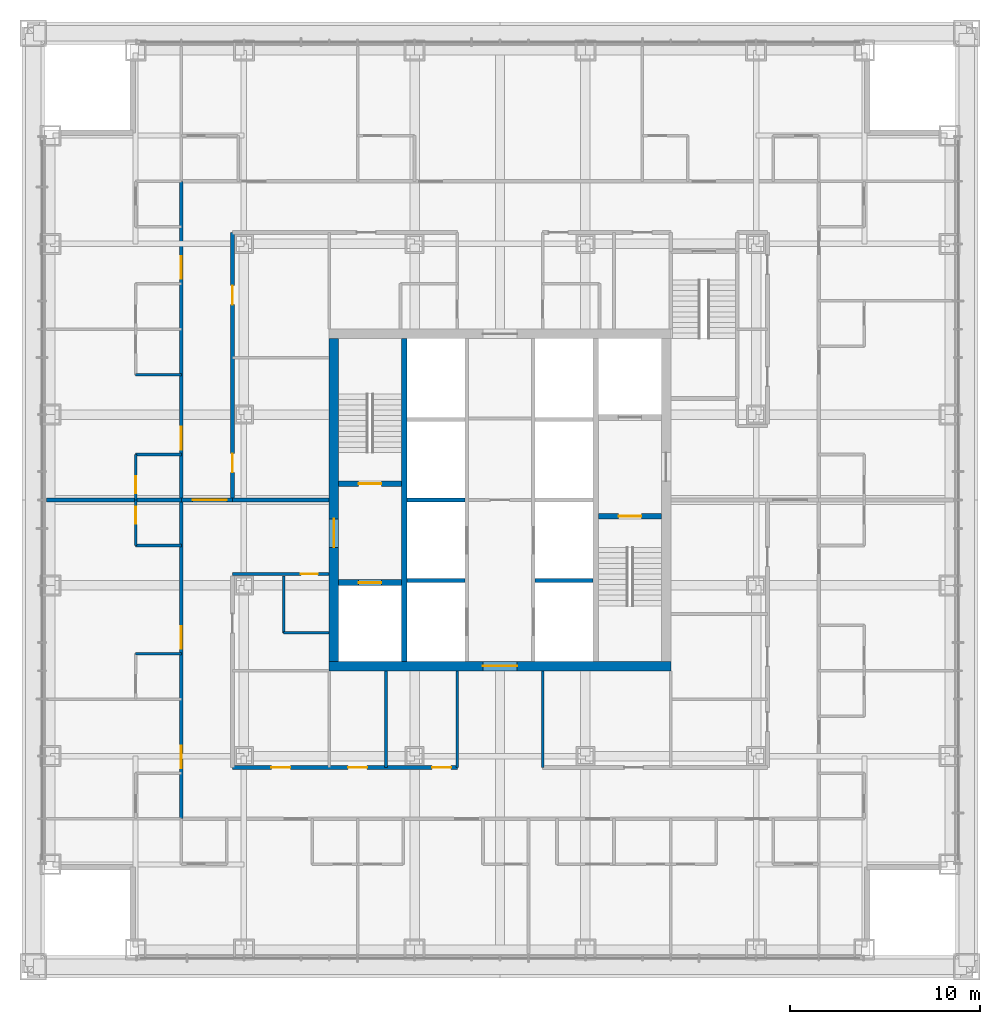
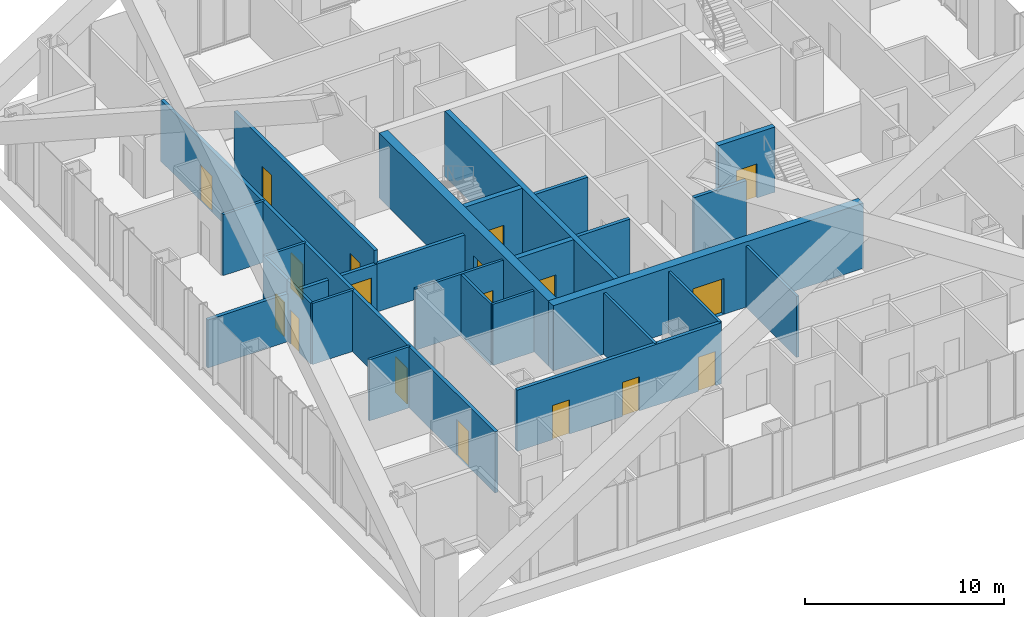
# One storey, part 12 of 21: 27 walls, 18 doors, 18 openings.
"""IFC4 building model written with IfcOpenShell, lengths in metres."""

from ifc_helpers import new_model, si_unit, direction, frame, frame_2d, origin, place, context, subcontext, project, spatial, rectangle, extrude, material, layer, layer_set, type_object, element, fill, save


model = new_model("IFC4")

# Units and contexts
model_context = context("Model", 3, precision=1e-05, world=origin(), true_north=direction((0.0, 1.0)))
body_context = subcontext(model_context, "Body", "Model", "MODEL_VIEW")
ifc_project = project(units=[si_unit("LENGTHUNIT", "METRE"), si_unit("AREAUNIT", "SQUARE_METRE"), si_unit("VOLUMEUNIT", "CUBIC_METRE"), si_unit("PLANEANGLEUNIT", "RADIAN"), si_unit("MASSUNIT", "GRAM", prefix="KILO")], contexts=[model_context])

# Site, building, storey
site_placement = place(None, origin())
site = spatial("IfcSite", under=ifc_project, at=site_placement, CompositionType="ELEMENT")
building_placement = place(site_placement, origin())
building = spatial("IfcBuilding", under=site, at=building_placement, Name="Malebo Sky Hospital", CompositionType="ELEMENT")
storey_placement = place(building_placement, frame((0.0, 0.0, 140.0)))
storey = spatial("IfcBuildingStorey", under=building, at=storey_placement, Name="L33", CompositionType="ELEMENT", Elevation=140.0)

# Walls
ifc_material_1 = material(Name="Concrete C80/95", Category="concrete")
ifc_layer_1 = layer(ifc_material_1, 0.199951171875)
ifc_layer_set_1 = layer_set([ifc_layer_1], Name="CORE INNER WALL 200")
wall_type_1 = type_object("IfcWallType", Name="CORE INNER WALL 200", PredefinedType="SHEAR", material=ifc_layer_set_1)
for number, where, z_axis, x_axis, name in (
    (1, (55.10009765625, 57.75, 0.0), (0.0, 0.0, 1.0), (1.0, 0.0, 0.0), "Core wall SW0 L33"),
    (2, (61.85009765625, 57.75, 0.0), (0.0, 0.0, 1.0), (1.0, 0.0, 0.0), "Core wall SE0 L33"),
    (3, (55.10009765625, 62.0, 0.0), (0.0, 0.0, 1.0), (1.0, 0.0, 0.0), "Core wall SW1 L33"),
):
    element("IfcWall", number, at=place(storey_placement, frame(where, z_axis=z_axis, x_axis=x_axis)), inside=storey, type_object=wall_type_1, Name=name, PredefinedType="SHEAR", context=body_context, shape_type="SweptSolid", body=[
        extrude(rectangle(XDim=3.0498046875, YDim=0.199951171875, at=frame_2d((1.52490234375, 0.0))), origin(), (0.0, 0.0, 1.0), 4.0),
    ])
ifc_layer_2 = layer(ifc_material_1, 0.300048828125)
ifc_layer_set_2 = layer_set([ifc_layer_2], Name="CORE INNER WALL 300")
wall_type_2 = type_object("IfcWallType", Name="CORE INNER WALL 300", PredefinedType="SHEAR", material=ifc_layer_set_2)
wall_1_placement = place(storey_placement, frame((54.949951171875, 53.5, 0.0), z_axis=(0.0, 0.0, 1.0), x_axis=(0.0, 1.0, 0.0)))
element("IfcWall", 4, at=wall_1_placement, inside=storey, type_object=wall_type_2, Name="Core wall XW L33", PredefinedType="SHEAR", context=body_context, shape_type="SweptSolid", body=[
    extrude(rectangle(XDim=17.0, YDim=0.300048828125, at=frame_2d((8.5, 0.0))), origin(), (0.0, 0.0, 1.0), 4.0),
])

# Wall, opening, door
wall_2_placement = place(storey_placement, frame((51.5, 62.85009765625, 0.0), z_axis=(0.0, 0.0, 1.0), x_axis=(1.0, 0.0, 0.0)))
wall_2 = element("IfcWall", 5, at=wall_2_placement, inside=storey, type_object=wall_type_2, Name="Core wall W1 L33", PredefinedType="SHEAR", context=body_context, shape_type="SweptSolid", body=[
    extrude(rectangle(XDim=3.300048828125, YDim=0.300048828125, at=frame_2d((1.64990234375, 0.0))), origin(), (0.0, 0.0, 1.0), 4.0),
])
opening_1_placement = place(wall_2_placement, frame((1.050048828125, 0.0, 0.0)))
opening_1 = element("IfcOpeningElement", 6, at=opening_1_placement, cuts=wall_2, Name="Opening D08", PredefinedType="OPENING", context=body_context, shape_type="SweptSolid", body=[
    extrude(rectangle(XDim=1.199951171875, YDim=2.10009765625, at=frame_2d((0.60009765625, 1.050048828125))), frame((0.0, 0.159912109375, 0.0), z_axis=(0.0, -1.0, 0.0), x_axis=(1.0, 0.0, 0.0)), (0.0, 0.0, 1.0), 0.320068359375),
])
ifc_material_2 = material(Name="Hardwood-faced door leaf in steel frame", Category="steel")
door_type_1 = type_object("IfcDoorType", Name="STAIR DOOR 1200", OperationType="SINGLE_SWING_LEFT", PredefinedType="DOOR", material=ifc_material_2)
door_1_placement = place(opening_1_placement, origin())
door_1 = element("IfcDoor", 7, at=door_1_placement, inside=storey, type_object=door_type_1, Name="Stair S1 door", OperationType="SINGLE_SWING_LEFT", OverallHeight=2.10009765625, OverallWidth=1.199951171875, PredefinedType="DOOR", context=body_context, shape_type="SweptSolid", body=[
    extrude(rectangle(XDim=1.199951171875, YDim=2.10009765625, at=frame_2d((0.60009765625, 1.050048828125))), frame((0.0, 0.02490234375, 0.0), z_axis=(0.0, -1.0, 0.0), x_axis=(1.0, 0.0, 0.0)), (0.0, 0.0, 1.0), 0.050048828125),
])
fill(opening_1, door_1)

wall_3_placement = place(storey_placement, frame((51.5, 57.64990234375, 0.0), z_axis=(0.0, 0.0, 1.0), x_axis=(1.0, 0.0, 0.0)))
wall_3 = element("IfcWall", 8, at=wall_3_placement, inside=storey, type_object=wall_type_2, Name="Core wall W2 L33", PredefinedType="SHEAR", context=body_context, shape_type="SweptSolid", body=[
    extrude(rectangle(XDim=3.300048828125, YDim=0.300048828125, at=frame_2d((1.64990234375, 0.0))), origin(), (0.0, 0.0, 1.0), 4.0),
])
opening_2_placement = place(wall_3_placement, frame((1.050048828125, 0.0, 0.0)))
opening_2 = element("IfcOpeningElement", 9, at=opening_2_placement, cuts=wall_3, Name="Opening LD2", PredefinedType="OPENING", context=body_context, shape_type="SweptSolid", body=[
    extrude(rectangle(XDim=1.199951171875, YDim=2.199951171875, at=frame_2d((0.60009765625, 1.10009765625))), frame((0.0, 0.159912109375, 0.0), z_axis=(0.0, -1.0, 0.0), x_axis=(1.0, 0.0, 0.0)), (0.0, 0.0, 1.0), 0.320068359375),
])
ifc_material_3 = material(Name="Stainless steel sliding landing door", Category="steel")
door_type_2 = type_object("IfcDoorType", Name="FIRE-FIGHTING LIFT LANDING DOOR 1200", OperationType="SLIDING_TO_LEFT", PredefinedType="DOOR", material=ifc_material_3)
door_2_placement = place(opening_2_placement, origin())
door_2 = element("IfcDoor", 10, at=door_2_placement, inside=storey, type_object=door_type_2, Name="Lift FL1 landing door", OperationType="SLIDING_TO_LEFT", OverallHeight=2.199951171875, OverallWidth=1.199951171875, PredefinedType="DOOR", context=body_context, shape_type="SweptSolid", body=[
    extrude(rectangle(XDim=1.199951171875, YDim=2.199951171875, at=frame_2d((0.60009765625, 1.10009765625))), frame((0.0, 0.02490234375, 0.0), z_axis=(0.0, -1.0, 0.0), x_axis=(1.0, 0.0, 0.0)), (0.0, 0.0, 1.0), 0.050048828125),
])
fill(opening_2, door_2)

wall_4_placement = place(storey_placement, frame((65.199951171875, 61.14990234375, 0.0), z_axis=(0.0, 0.0, 1.0), x_axis=(1.0, 0.0, 0.0)))
wall_4 = element("IfcWall", 11, at=wall_4_placement, inside=storey, type_object=wall_type_2, Name="Core wall E1 L33", PredefinedType="SHEAR", context=body_context, shape_type="SweptSolid", body=[
    extrude(rectangle(XDim=3.300048828125, YDim=0.300048828125, at=frame_2d((1.64990234375, 0.0))), origin(), (0.0, 0.0, 1.0), 4.0),
])
opening_3_placement = place(wall_4_placement, frame((1.050048828125, 0.0, 0.0)))
opening_3 = element("IfcOpeningElement", 12, at=opening_3_placement, cuts=wall_4, Name="Opening D08", PredefinedType="OPENING", context=body_context, shape_type="SweptSolid", body=[
    extrude(rectangle(XDim=1.199951171875, YDim=2.10009765625, at=frame_2d((0.60009765625, 1.050048828125))), frame((0.0, 0.159912109375, 0.0), z_axis=(0.0, -1.0, 0.0), x_axis=(1.0, 0.0, 0.0)), (0.0, 0.0, 1.0), 0.320068359375),
])
door_3_placement = place(opening_3_placement, origin())
door_3 = element("IfcDoor", 13, at=door_3_placement, inside=storey, type_object=door_type_1, Name="Stair S2 door", OperationType="SINGLE_SWING_LEFT", OverallHeight=2.10009765625, OverallWidth=1.199951171875, PredefinedType="DOOR", context=body_context, shape_type="SweptSolid", body=[
    extrude(rectangle(XDim=1.199951171875, YDim=2.10009765625, at=frame_2d((0.60009765625, 1.050048828125))), frame((0.0, 0.02490234375, 0.0), z_axis=(0.0, -1.0, 0.0), x_axis=(1.0, 0.0, 0.0)), (0.0, 0.0, 1.0), 0.050048828125),
])
fill(opening_3, door_3)

ifc_layer_3 = layer(ifc_material_1, 0.5)
ifc_layer_set_3 = layer_set([ifc_layer_3], Name="CORE WALL 500")
wall_type_3 = type_object("IfcWallType", Name="CORE WALL 500", PredefinedType="SHEAR", material=ifc_layer_set_3)
wall_5_placement = place(storey_placement, frame((51.0, 53.25, 0.0), z_axis=(0.0, 0.0, 1.0), x_axis=(1.0, 0.0, 0.0)))
wall_5 = element("IfcWall", 14, at=wall_5_placement, inside=storey, type_object=wall_type_3, Name="Core wall S L33", PredefinedType="SHEAR", context=body_context, shape_type="SweptSolid", body=[
    extrude(rectangle(XDim=18.0, YDim=0.5, at=frame_2d((9.0, 0.0))), origin(), (0.0, 0.0, 1.0), 4.0),
])
opening_4_placement = place(wall_5_placement, frame((8.10009765625, 0.0, 0.0)))
opening_4 = element("IfcOpeningElement", 15, at=opening_4_placement, cuts=wall_5, Name="Opening D06", PredefinedType="OPENING", context=body_context, shape_type="SweptSolid", body=[
    extrude(rectangle(XDim=1.800048828125, YDim=2.199951171875, at=frame_2d((0.89990234375, 1.10009765625))), frame((0.0, 0.260009765625, 0.0), z_axis=(0.0, -1.0, 0.0), x_axis=(1.0, 0.0, 0.0)), (0.0, 0.0, 1.0), 0.52001953125),
])
door_type_3 = type_object("IfcDoorType", Name="LOBBY DOOR PAIR 1800", OperationType="DOUBLE_DOOR_SINGLE_SWING", PredefinedType="DOOR", material=ifc_material_2)
door_4_placement = place(opening_4_placement, origin())
door_4 = element("IfcDoor", 16, at=door_4_placement, inside=storey, type_object=door_type_3, Name="Lift lobby door south", OperationType="DOUBLE_DOOR_SINGLE_SWING", OverallHeight=2.199951171875, OverallWidth=1.800048828125, PredefinedType="DOOR", context=body_context, shape_type="SweptSolid", body=[
    extrude(rectangle(XDim=1.800048828125, YDim=2.199951171875, at=frame_2d((0.89990234375, 1.10009765625))), frame((0.0, 0.02490234375, 0.0), z_axis=(0.0, -1.0, 0.0), x_axis=(1.0, 0.0, 0.0)), (0.0, 0.0, 1.0), 0.050048828125),
])
fill(opening_4, door_4)

wall_6_placement = place(storey_placement, frame((51.25, 53.5, 0.0), z_axis=(0.0, 0.0, 1.0), x_axis=(0.0, 1.0, 0.0)))
wall_6 = element("IfcWall", 17, at=wall_6_placement, inside=storey, type_object=wall_type_3, Name="Core wall W L33", PredefinedType="SHEAR", context=body_context, shape_type="SweptSolid", body=[
    extrude(rectangle(XDim=17.0, YDim=0.5, at=frame_2d((8.5, 0.0))), origin(), (0.0, 0.0, 1.0), 4.0),
])
opening_5_placement = place(wall_6_placement, frame((6.0, 0.0, 0.0)))
opening_5 = element("IfcOpeningElement", 18, at=opening_5_placement, cuts=wall_6, Name="Opening D07", PredefinedType="OPENING", context=body_context, shape_type="SweptSolid", body=[
    extrude(rectangle(XDim=1.5, YDim=2.199951171875, at=frame_2d((0.75, 1.10009765625))), frame((0.0, 0.260009765625, 0.0), z_axis=(0.0, -1.0, 0.0), x_axis=(1.0, 0.0, 0.0)), (0.0, 0.0, 1.0), 0.52001953125),
])
door_type_4 = type_object("IfcDoorType", Name="FIRE-FIGHTING LOBBY DOOR PAIR 1500", OperationType="DOUBLE_DOOR_SINGLE_SWING", PredefinedType="DOOR", material=ifc_material_2)
door_5_placement = place(opening_5_placement, origin())
door_5 = element("IfcDoor", 19, at=door_5_placement, inside=storey, type_object=door_type_4, Name="Fire-fighting lobby door west", OperationType="DOUBLE_DOOR_SINGLE_SWING", OverallHeight=2.199951171875, OverallWidth=1.5, PredefinedType="DOOR", context=body_context, shape_type="SweptSolid", body=[
    extrude(rectangle(XDim=1.5, YDim=2.199951171875, at=frame_2d((0.75, 1.10009765625))), frame((0.0, 0.02490234375, 0.0), z_axis=(0.0, -1.0, 0.0), x_axis=(1.0, 0.0, 0.0)), (0.0, 0.0, 1.0), 0.050048828125),
])
fill(opening_5, door_5)

# Wall, openings, doors
ifc_material_4 = material(Name="Gypsum board on steel studs", Category="steel")
ifc_layer_4 = layer(ifc_material_4, 0.199951171875)
ifc_layer_set_4 = layer_set([ifc_layer_4], Name="CORRIDOR WALL 200")
wall_type_4 = type_object("IfcWallType", Name="CORRIDOR WALL 200", PredefinedType="PARTITIONING", material=ifc_layer_set_4)
wall_7_placement = place(storey_placement, frame((43.199951171875, 45.199951171875, 0.0), z_axis=(0.0, 0.0, 1.0), x_axis=(0.0, 1.0, 0.0)))
wall_7 = element("IfcWall", 20, at=wall_7_placement, inside=storey, type_object=wall_type_4, Name="Corridor Wall 200 WCO", PredefinedType="PARTITIONING", context=body_context, shape_type="SweptSolid", body=[
    extrude(rectangle(XDim=33.60009765625, YDim=0.199951171875, at=frame_2d((16.800048828125, 0.0))), origin(), (0.0, 0.0, 1.0), 3.75),
])
opening_6_placement = place(wall_7_placement, frame((2.64990234375, 0.0, 0.0)))
opening_6 = element("IfcOpeningElement", 21, at=opening_6_placement, cuts=wall_7, Name="Opening D01", PredefinedType="OPENING", context=body_context, shape_type="SweptSolid", body=[
    extrude(rectangle(XDim=1.199951171875, YDim=2.199951171875, at=frame_2d((0.60009765625, 1.10009765625))), frame((0.0, 0.10986328125, 0.0), z_axis=(0.0, -1.0, 0.0), x_axis=(1.0, 0.0, 0.0)), (0.0, 0.0, 1.0), 0.219970703125),
])
opening_7_placement = place(wall_7_placement, frame((8.949951171875, 0.0, 0.0)))
opening_7 = element("IfcOpeningElement", 22, at=opening_7_placement, cuts=wall_7, Name="Opening D01", PredefinedType="OPENING", context=body_context, shape_type="SweptSolid", body=[
    extrude(rectangle(XDim=1.199951171875, YDim=2.199951171875, at=frame_2d((0.60009765625, 1.10009765625))), frame((0.0, 0.10986328125, 0.0), z_axis=(0.0, -1.0, 0.0), x_axis=(1.0, 0.0, 0.0)), (0.0, 0.0, 1.0), 0.219970703125),
])
opening_8_placement = place(wall_7_placement, frame((19.449951171875, 0.0, 0.0)))
opening_8 = element("IfcOpeningElement", 23, at=opening_8_placement, cuts=wall_7, Name="Opening D01", PredefinedType="OPENING", context=body_context, shape_type="SweptSolid", body=[
    extrude(rectangle(XDim=1.199951171875, YDim=2.199951171875, at=frame_2d((0.60009765625, 1.10009765625))), frame((0.0, 0.10986328125, 0.0), z_axis=(0.0, -1.0, 0.0), x_axis=(1.0, 0.0, 0.0)), (0.0, 0.0, 1.0), 0.219970703125),
])
opening_9_placement = place(wall_7_placement, frame((28.449951171875, 0.0, 0.0)))
opening_9 = element("IfcOpeningElement", 24, at=opening_9_placement, cuts=wall_7, Name="Opening D01", PredefinedType="OPENING", context=body_context, shape_type="SweptSolid", body=[
    extrude(rectangle(XDim=1.199951171875, YDim=2.199951171875, at=frame_2d((0.60009765625, 1.10009765625))), frame((0.0, 0.10986328125, 0.0), z_axis=(0.0, -1.0, 0.0), x_axis=(1.0, 0.0, 0.0)), (0.0, 0.0, 1.0), 0.219970703125),
])
door_type_5 = type_object("IfcDoorType", Name="BED DOOR 1200", OperationType="SINGLE_SWING_LEFT", PredefinedType="DOOR", material=ifc_material_2)
door_6_placement = place(opening_6_placement, origin())
door_6 = element("IfcDoor", 25, at=door_6_placement, inside=storey, type_object=door_type_5, Name="Single bed room door", OperationType="SINGLE_SWING_LEFT", OverallHeight=2.199951171875, OverallWidth=1.199951171875, PredefinedType="DOOR", context=body_context, shape_type="SweptSolid", body=[
    extrude(rectangle(XDim=1.199951171875, YDim=2.199951171875, at=frame_2d((0.60009765625, 1.10009765625))), frame((0.0, 0.02490234375, 0.0), z_axis=(0.0, -1.0, 0.0), x_axis=(1.0, 0.0, 0.0)), (0.0, 0.0, 1.0), 0.050048828125),
])
fill(opening_6, door_6)
door_7_placement = place(opening_7_placement, origin())
door_7 = element("IfcDoor", 26, at=door_7_placement, inside=storey, type_object=door_type_5, Name="Four-bed bay door", OperationType="SINGLE_SWING_LEFT", OverallHeight=2.199951171875, OverallWidth=1.199951171875, PredefinedType="DOOR", context=body_context, shape_type="SweptSolid", body=[
    extrude(rectangle(XDim=1.199951171875, YDim=2.199951171875, at=frame_2d((0.60009765625, 1.10009765625))), frame((0.0, 0.02490234375, 0.0), z_axis=(0.0, -1.0, 0.0), x_axis=(1.0, 0.0, 0.0)), (0.0, 0.0, 1.0), 0.050048828125),
])
fill(opening_7, door_7)
door_8_placement = place(opening_8_placement, origin())
door_8 = element("IfcDoor", 27, at=door_8_placement, inside=storey, type_object=door_type_5, Name="Four-bed bay door", OperationType="SINGLE_SWING_LEFT", OverallHeight=2.199951171875, OverallWidth=1.199951171875, PredefinedType="DOOR", context=body_context, shape_type="SweptSolid", body=[
    extrude(rectangle(XDim=1.199951171875, YDim=2.199951171875, at=frame_2d((0.60009765625, 1.10009765625))), frame((0.0, 0.02490234375, 0.0), z_axis=(0.0, -1.0, 0.0), x_axis=(1.0, 0.0, 0.0)), (0.0, 0.0, 1.0), 0.050048828125),
])
fill(opening_8, door_8)
door_9_placement = place(opening_9_placement, origin())
door_9 = element("IfcDoor", 28, at=door_9_placement, inside=storey, type_object=door_type_5, Name="Four-bed bay door", OperationType="SINGLE_SWING_LEFT", OverallHeight=2.199951171875, OverallWidth=1.199951171875, PredefinedType="DOOR", context=body_context, shape_type="SweptSolid", body=[
    extrude(rectangle(XDim=1.199951171875, YDim=2.199951171875, at=frame_2d((0.60009765625, 1.10009765625))), frame((0.0, 0.02490234375, 0.0), z_axis=(0.0, -1.0, 0.0), x_axis=(1.0, 0.0, 0.0)), (0.0, 0.0, 1.0), 0.050048828125),
])
fill(opening_9, door_9)

wall_8_placement = place(storey_placement, frame((45.89990234375, 62.0, 0.0), z_axis=(0.0, 0.0, 1.0), x_axis=(0.0, 1.0, 0.0)))
wall_8 = element("IfcWall", 29, at=wall_8_placement, inside=storey, type_object=wall_type_4, Name="Corridor Wall 200 WCI2", PredefinedType="PARTITIONING", context=body_context, shape_type="SweptSolid", body=[
    extrude(rectangle(XDim=14.10009765625, YDim=0.199951171875, at=frame_2d((7.050048828125, 0.0))), origin(), (0.0, 0.0, 1.0), 3.75),
])
opening_10_placement = place(wall_8_placement, frame((1.449951171875, 0.0, 0.0)))
opening_10 = element("IfcOpeningElement", 30, at=opening_10_placement, cuts=wall_8, Name="Opening D03", PredefinedType="OPENING", context=body_context, shape_type="SweptSolid", body=[
    extrude(rectangle(XDim=1.0, YDim=2.10009765625, at=frame_2d((0.5, 1.050048828125))), frame((0.0, 0.10986328125, 0.0), z_axis=(0.0, -1.0, 0.0), x_axis=(1.0, 0.0, 0.0)), (0.0, 0.0, 1.0), 0.219970703125),
])
opening_11_placement = place(wall_8_placement, frame((10.300048828125, 0.0, 0.0)))
opening_11 = element("IfcOpeningElement", 31, at=opening_11_placement, cuts=wall_8, Name="Opening D03", PredefinedType="OPENING", context=body_context, shape_type="SweptSolid", body=[
    extrude(rectangle(XDim=1.0, YDim=2.10009765625, at=frame_2d((0.5, 1.050048828125))), frame((0.0, 0.10986328125, 0.0), z_axis=(0.0, -1.0, 0.0), x_axis=(1.0, 0.0, 0.0)), (0.0, 0.0, 1.0), 0.219970703125),
])
door_type_6 = type_object("IfcDoorType", Name="ROOM DOOR 1000", OperationType="SINGLE_SWING_LEFT", PredefinedType="DOOR", material=ifc_material_2)
door_10_placement = place(opening_10_placement, origin())
door_10 = element("IfcDoor", 32, at=door_10_placement, inside=storey, type_object=door_type_6, Name="Nurse station door", OperationType="SINGLE_SWING_LEFT", OverallHeight=2.10009765625, OverallWidth=1.0, PredefinedType="DOOR", context=body_context, shape_type="SweptSolid", body=[
    extrude(rectangle(XDim=1.0, YDim=2.10009765625, at=frame_2d((0.5, 1.050048828125))), frame((0.0, 0.02490234375, 0.0), z_axis=(0.0, -1.0, 0.0), x_axis=(1.0, 0.0, 0.0)), (0.0, 0.0, 1.0), 0.050048828125),
])
fill(opening_10, door_10)
door_11_placement = place(opening_11_placement, origin())
door_11 = element("IfcDoor", 33, at=door_11_placement, inside=storey, type_object=door_type_6, Name="Treatment room door", OperationType="SINGLE_SWING_RIGHT", OverallHeight=2.10009765625, OverallWidth=1.0, PredefinedType="DOOR", context=body_context, shape_type="SweptSolid", body=[
    extrude(rectangle(XDim=1.0, YDim=2.10009765625, at=frame_2d((0.5, 1.050048828125))), frame((0.0, 0.02490234375, 0.0), z_axis=(0.0, -1.0, 0.0), x_axis=(1.0, 0.0, 0.0)), (0.0, 0.0, 1.0), 0.050048828125),
])
fill(opening_11, door_11)

wall_9_placement = place(storey_placement, frame((57.75, 47.89990234375, 0.0), z_axis=(0.0, 0.0, 1.0), x_axis=(-1.0, 0.0, 0.0)))
wall_9 = element("IfcWall", 34, at=wall_9_placement, inside=storey, type_object=wall_type_4, Name="Corridor Wall 200 SCI2", PredefinedType="PARTITIONING", context=body_context, shape_type="SweptSolid", body=[
    extrude(rectangle(XDim=11.85009765625, YDim=0.199951171875, at=frame_2d((5.925048828125, 0.0))), origin(), (0.0, 0.0, 1.0), 3.75),
])
opening_12_placement = place(wall_9_placement, frame((0.324951171875, 0.0, 0.0)))
opening_12 = element("IfcOpeningElement", 35, at=opening_12_placement, cuts=wall_9, Name="Opening D03", PredefinedType="OPENING", context=body_context, shape_type="SweptSolid", body=[
    extrude(rectangle(XDim=1.0, YDim=2.10009765625, at=frame_2d((0.5, 1.050048828125))), frame((0.0, 0.10986328125, 0.0), z_axis=(0.0, -1.0, 0.0), x_axis=(1.0, 0.0, 0.0)), (0.0, 0.0, 1.0), 0.219970703125),
])
opening_13_placement = place(wall_9_placement, frame((4.75, 0.0, 0.0)))
opening_13 = element("IfcOpeningElement", 36, at=opening_13_placement, cuts=wall_9, Name="Opening D03", PredefinedType="OPENING", context=body_context, shape_type="SweptSolid", body=[
    extrude(rectangle(XDim=1.0, YDim=2.10009765625, at=frame_2d((0.5, 1.050048828125))), frame((0.0, 0.10986328125, 0.0), z_axis=(0.0, -1.0, 0.0), x_axis=(1.0, 0.0, 0.0)), (0.0, 0.0, 1.0), 0.219970703125),
])
opening_14_placement = place(wall_9_placement, frame((8.800048828125, 0.0, 0.0)))
opening_14 = element("IfcOpeningElement", 37, at=opening_14_placement, cuts=wall_9, Name="Opening D03", PredefinedType="OPENING", context=body_context, shape_type="SweptSolid", body=[
    extrude(rectangle(XDim=1.0, YDim=2.10009765625, at=frame_2d((0.5, 1.050048828125))), frame((0.0, 0.10986328125, 0.0), z_axis=(0.0, -1.0, 0.0), x_axis=(1.0, 0.0, 0.0)), (0.0, 0.0, 1.0), 0.219970703125),
])
door_12_placement = place(opening_12_placement, origin())
door_12 = element("IfcDoor", 38, at=door_12_placement, inside=storey, type_object=door_type_6, Name="Clean utility room door", OperationType="SINGLE_SWING_LEFT", OverallHeight=2.10009765625, OverallWidth=1.0, PredefinedType="DOOR", context=body_context, shape_type="SweptSolid", body=[
    extrude(rectangle(XDim=1.0, YDim=2.10009765625, at=frame_2d((0.5, 1.050048828125))), frame((0.0, 0.02490234375, 0.0), z_axis=(0.0, -1.0, 0.0), x_axis=(1.0, 0.0, 0.0)), (0.0, 0.0, 1.0), 0.050048828125),
])
fill(opening_12, door_12)
door_13_placement = place(opening_13_placement, origin())
door_13 = element("IfcDoor", 39, at=door_13_placement, inside=storey, type_object=door_type_6, Name="Medication room door", OperationType="SINGLE_SWING_LEFT", OverallHeight=2.10009765625, OverallWidth=1.0, PredefinedType="DOOR", context=body_context, shape_type="SweptSolid", body=[
    extrude(rectangle(XDim=1.0, YDim=2.10009765625, at=frame_2d((0.5, 1.050048828125))), frame((0.0, 0.02490234375, 0.0), z_axis=(0.0, -1.0, 0.0), x_axis=(1.0, 0.0, 0.0)), (0.0, 0.0, 1.0), 0.050048828125),
])
fill(opening_13, door_13)
door_14_placement = place(opening_14_placement, origin())
door_14 = element("IfcDoor", 40, at=door_14_placement, inside=storey, type_object=door_type_6, Name="Vascular access clinic room door", OperationType="SINGLE_SWING_RIGHT", OverallHeight=2.10009765625, OverallWidth=1.0, PredefinedType="DOOR", context=body_context, shape_type="SweptSolid", body=[
    extrude(rectangle(XDim=1.0, YDim=2.10009765625, at=frame_2d((0.5, 1.050048828125))), frame((0.0, 0.02490234375, 0.0), z_axis=(0.0, -1.0, 0.0), x_axis=(1.0, 0.0, 0.0)), (0.0, 0.0, 1.0), 0.050048828125),
])
fill(opening_14, door_14)

# Wall
ifc_layer_5 = layer(ifc_material_4, 0.14990234375)
ifc_layer_set_5 = layer_set([ifc_layer_5], Name="PARTITION 150")
wall_type_5 = type_object("IfcWallType", Name="PARTITION 150", PredefinedType="PARTITIONING", material=ifc_layer_set_5)
wall_10_placement = place(storey_placement, frame((43.199951171875, 53.89990234375, 0.0), z_axis=(0.0, 0.0, 1.0), x_axis=(-1.0, 0.0, 0.0)))
element("IfcWall", 41, at=wall_10_placement, inside=storey, type_object=wall_type_5, Name="Partition 150 WE1S", PredefinedType="PARTITIONING", context=body_context, shape_type="SweptSolid", body=[
    extrude(rectangle(XDim=2.39990234375, YDim=0.14990234375, at=frame_2d((1.199951171875, 0.0))), origin(), (0.0, 0.0, 1.0), 3.75),
])

# Wall, opening, door
wall_11_placement = place(storey_placement, frame((40.800048828125, 59.60009765625, 0.0), z_axis=(0.0, 0.0, 1.0), x_axis=(0.0, 1.0, 0.0)))
wall_11 = element("IfcWall", 42, at=wall_11_placement, inside=storey, type_object=wall_type_5, Name="Partition 150 WG1F", PredefinedType="PARTITIONING", context=body_context, shape_type="SweptSolid", body=[
    extrude(rectangle(XDim=2.39990234375, YDim=0.14990234375, at=frame_2d((1.199951171875, 0.0))), origin(), (0.0, 0.0, 1.0), 3.75),
])
opening_15_placement = place(wall_11_placement, frame((1.14990234375, 0.0, 0.0)))
opening_15 = element("IfcOpeningElement", 43, at=opening_15_placement, cuts=wall_11, Name="Opening D02", PredefinedType="OPENING", context=body_context, shape_type="SweptSolid", body=[
    extrude(rectangle(XDim=0.89990234375, YDim=2.10009765625, at=frame_2d((0.449951171875, 1.050048828125))), frame((0.0, 0.0849609375, 0.0), z_axis=(0.0, -1.0, 0.0), x_axis=(1.0, 0.0, 0.0)), (0.0, 0.0, 1.0), 0.169921875),
])
door_type_7 = type_object("IfcDoorType", Name="EN-SUITE DOOR 900", OperationType="SINGLE_SWING_LEFT", PredefinedType="DOOR", material=ifc_material_2)
door_15_placement = place(opening_15_placement, origin())
door_15 = element("IfcDoor", 44, at=door_15_placement, inside=storey, type_object=door_type_7, Name="En-suite door", OperationType="SINGLE_SWING_RIGHT", OverallHeight=2.10009765625, OverallWidth=0.89990234375, PredefinedType="DOOR", context=body_context, shape_type="SweptSolid", body=[
    extrude(rectangle(XDim=0.89990234375, YDim=2.10009765625, at=frame_2d((0.449951171875, 1.050048828125))), frame((0.0, 0.02490234375, 0.0), z_axis=(0.0, -1.0, 0.0), x_axis=(1.0, 0.0, 0.0)), (0.0, 0.0, 1.0), 0.050048828125),
])
fill(opening_15, door_15)

# Wall
wall_12_placement = place(storey_placement, frame((43.199951171875, 59.60009765625, 0.0), z_axis=(0.0, 0.0, 1.0), x_axis=(-1.0, 0.0, 0.0)))
element("IfcWall", 45, at=wall_12_placement, inside=storey, type_object=wall_type_5, Name="Partition 150 WG1S", PredefinedType="PARTITIONING", context=body_context, shape_type="SweptSolid", body=[
    extrude(rectangle(XDim=2.39990234375, YDim=0.14990234375, at=frame_2d((1.199951171875, 0.0))), origin(), (0.0, 0.0, 1.0), 3.75),
])

# Wall, opening, door
wall_13_placement = place(storey_placement, frame((40.800048828125, 62.0, 0.0), z_axis=(0.0, 0.0, 1.0), x_axis=(0.0, 1.0, 0.0)))
wall_13 = element("IfcWall", 46, at=wall_13_placement, inside=storey, type_object=wall_type_5, Name="Partition 150 WE2F", PredefinedType="PARTITIONING", context=body_context, shape_type="SweptSolid", body=[
    extrude(rectangle(XDim=2.39990234375, YDim=0.14990234375, at=frame_2d((1.199951171875, 0.0))), origin(), (0.0, 0.0, 1.0), 3.75),
])
opening_16_placement = place(wall_13_placement, frame((0.35009765625, 0.0, 0.0)))
opening_16 = element("IfcOpeningElement", 47, at=opening_16_placement, cuts=wall_13, Name="Opening D02", PredefinedType="OPENING", context=body_context, shape_type="SweptSolid", body=[
    extrude(rectangle(XDim=0.89990234375, YDim=2.10009765625, at=frame_2d((0.449951171875, 1.050048828125))), frame((0.0, 0.0849609375, 0.0), z_axis=(0.0, -1.0, 0.0), x_axis=(1.0, 0.0, 0.0)), (0.0, 0.0, 1.0), 0.169921875),
])
door_16_placement = place(opening_16_placement, origin())
door_16 = element("IfcDoor", 48, at=door_16_placement, inside=storey, type_object=door_type_7, Name="En-suite door", OperationType="SINGLE_SWING_LEFT", OverallHeight=2.10009765625, OverallWidth=0.89990234375, PredefinedType="DOOR", context=body_context, shape_type="SweptSolid", body=[
    extrude(rectangle(XDim=0.89990234375, YDim=2.10009765625, at=frame_2d((0.449951171875, 1.050048828125))), frame((0.0, 0.02490234375, 0.0), z_axis=(0.0, -1.0, 0.0), x_axis=(1.0, 0.0, 0.0)), (0.0, 0.0, 1.0), 0.050048828125),
])
fill(opening_16, door_16)

# Walls
for number, where, z_axis, x_axis, name in (
    (49, (43.199951171875, 64.39990234375, 0.0), (0.0, 0.0, 1.0), (-1.0, 0.0, 0.0), "Partition 150 WE2S"),
    (50, (43.199951171875, 68.60009765625, 0.0), (0.0, 0.0, 1.0), (-1.0, 0.0, 0.0), "Partition 150 WG2S"),
):
    element("IfcWall", number, at=place(storey_placement, frame(where, z_axis=z_axis, x_axis=x_axis)), inside=storey, type_object=wall_type_5, Name=name, PredefinedType="PARTITIONING", context=body_context, shape_type="SweptSolid", body=[
        extrude(rectangle(XDim=2.39990234375, YDim=0.14990234375, at=frame_2d((1.199951171875, 0.0))), origin(), (0.0, 0.0, 1.0), 3.75),
    ])

# Wall, opening, door
wall_14_placement = place(storey_placement, frame((51.0, 58.10009765625, 0.0), z_axis=(0.0, 0.0, 1.0), x_axis=(-1.0, 0.0, 0.0)))
wall_14 = element("IfcWall", 51, at=wall_14_placement, inside=storey, type_object=wall_type_5, Name="Partition 150 WSPA", PredefinedType="PARTITIONING", context=body_context, shape_type="SweptSolid", body=[
    extrude(rectangle(XDim=5.10009765625, YDim=0.14990234375, at=frame_2d((2.550048828125, 0.0))), origin(), (0.0, 0.0, 1.0), 3.75),
])
opening_17_placement = place(wall_14_placement, frame((0.60009765625, 0.0, 0.0)))
opening_17 = element("IfcOpeningElement", 52, at=opening_17_placement, cuts=wall_14, Name="Opening D04", PredefinedType="OPENING", context=body_context, shape_type="SweptSolid", body=[
    extrude(rectangle(XDim=0.89990234375, YDim=2.10009765625, at=frame_2d((0.449951171875, 1.050048828125))), frame((0.0, 0.0849609375, 0.0), z_axis=(0.0, -1.0, 0.0), x_axis=(1.0, 0.0, 0.0)), (0.0, 0.0, 1.0), 0.169921875),
])
door_type_8 = type_object("IfcDoorType", Name="ROOM DOOR 900", OperationType="SINGLE_SWING_LEFT", PredefinedType="DOOR", material=ifc_material_2)
door_17_placement = place(opening_17_placement, origin())
door_17 = element("IfcDoor", 53, at=door_17_placement, inside=storey, type_object=door_type_8, Name="Cleaner's room door", OperationType="SINGLE_SWING_LEFT", OverallHeight=2.10009765625, OverallWidth=0.89990234375, PredefinedType="DOOR", context=body_context, shape_type="SweptSolid", body=[
    extrude(rectangle(XDim=0.89990234375, YDim=2.10009765625, at=frame_2d((0.449951171875, 1.050048828125))), frame((0.0, 0.02490234375, 0.0), z_axis=(0.0, -1.0, 0.0), x_axis=(1.0, 0.0, 0.0)), (0.0, 0.0, 1.0), 0.050048828125),
])
fill(opening_17, door_17)

# Walls
wall_15_placement = place(storey_placement, frame((48.60009765625, 55.0, 0.0), z_axis=(0.0, 0.0, 1.0), x_axis=(0.0, 1.0, 0.0)))
element("IfcWall", 54, at=wall_15_placement, inside=storey, type_object=wall_type_5, Name="Partition 150 WSX0", PredefinedType="PARTITIONING", context=body_context, shape_type="SweptSolid", body=[
    extrude(rectangle(XDim=3.0, YDim=0.14990234375, at=frame_2d((1.5, 0.0))), origin(), (0.0, 0.0, 1.0), 3.75),
])
wall_16_placement = place(storey_placement, frame((51.0, 55.0, 0.0), z_axis=(0.0, 0.0, 1.0), x_axis=(-1.0, 0.0, 0.0)))
element("IfcWall", 55, at=wall_16_placement, inside=storey, type_object=wall_type_5, Name="Partition 150 WSY0", PredefinedType="PARTITIONING", context=body_context, shape_type="SweptSolid", body=[
    extrude(rectangle(XDim=2.39990234375, YDim=0.14990234375, at=frame_2d((1.199951171875, 0.0))), origin(), (0.0, 0.0, 1.0), 3.75),
])
for number, where, z_axis, x_axis, name in (
    (56, (62.25, 53.0, 0.0), (0.0, 0.0, 1.0), (0.0, -1.0, 0.0), "Partition 150 SSPA"),
    (57, (57.75, 53.0, 0.0), (0.0, 0.0, 1.0), (0.0, -1.0, 0.0), "Partition 150 SSPB"),
    (58, (54.0, 53.0, 0.0), (0.0, 0.0, 1.0), (0.0, -1.0, 0.0), "Partition 150 SSP+6.0"),
):
    element("IfcWall", number, at=place(storey_placement, frame(where, z_axis=z_axis, x_axis=x_axis)), inside=storey, type_object=wall_type_5, Name=name, PredefinedType="PARTITIONING", context=body_context, shape_type="SweptSolid", body=[
        extrude(rectangle(XDim=5.10009765625, YDim=0.14990234375, at=frame_2d((2.550048828125, 0.0))), origin(), (0.0, 0.0, 1.0), 3.75),
    ])
ifc_material_5 = material(Name="Concrete blockwork", Category="masonry")
ifc_layer_6 = layer(ifc_material_5, 0.199951171875)
ifc_layer_set_6 = layer_set([ifc_layer_6], Name="SMOKE BARRIER WALL 200")
wall_type_6 = type_object("IfcWallType", Name="SMOKE BARRIER WALL 200", PredefinedType="SOLIDWALL", material=ifc_layer_set_6)
wall_17_placement = place(storey_placement, frame((43.199951171875, 62.0, 0.0), z_axis=(0.0, 0.0, 1.0), x_axis=(-1.0, 0.0, 0.0)))
element("IfcWall", 59, at=wall_17_placement, inside=storey, type_object=wall_type_6, Name="Smoke Barrier Wall 200 WP+0.0", PredefinedType="SOLIDWALL", context=body_context, shape_type="SweptSolid", body=[
    extrude(rectangle(XDim=7.10986328125, YDim=0.199951171875, at=frame_2d((3.554931640625, 0.0))), origin(), (0.0, 0.0, 1.0), 2.949951171875),
])
wall_18_placement = place(storey_placement, frame((51.0, 62.0, 0.0), z_axis=(0.0, 0.0, 1.0), x_axis=(-1.0, 0.0, 0.0)))
element("IfcWall", 60, at=wall_18_placement, inside=storey, type_object=wall_type_6, Name="Smoke Barrier Wall 200 WSPB", PredefinedType="SOLIDWALL", context=body_context, shape_type="SweptSolid", body=[
    extrude(rectangle(XDim=5.10009765625, YDim=0.199951171875, at=frame_2d((2.550048828125, 0.0))), origin(), (0.0, 0.0, 1.0), 2.949951171875),
])

# Wall, opening, door
wall_19_placement = place(storey_placement, frame((45.89990234375, 62.0, 0.0), z_axis=(0.0, 0.0, 1.0), x_axis=(-1.0, 0.0, 0.0)))
wall_19 = element("IfcWall", 61, at=wall_19_placement, inside=storey, type_object=wall_type_6, Name="Smoke Barrier Wall 200 WSB", PredefinedType="SOLIDWALL", context=body_context, shape_type="SweptSolid", body=[
    extrude(rectangle(XDim=2.699951171875, YDim=0.199951171875, at=frame_2d((1.35009765625, 0.0))), origin(), (0.0, 0.0, 1.0), 2.949951171875),
])
opening_18_placement = place(wall_19_placement, frame((0.300048828125, 0.0, 0.0)))
opening_18 = element("IfcOpeningElement", 62, at=opening_18_placement, cuts=wall_19, Name="Opening D05", PredefinedType="OPENING", context=body_context, shape_type="SweptSolid", body=[
    extrude(rectangle(XDim=1.800048828125, YDim=2.199951171875, at=frame_2d((0.89990234375, 1.10009765625))), frame((0.0, 0.10986328125, 0.0), z_axis=(0.0, -1.0, 0.0), x_axis=(1.0, 0.0, 0.0)), (0.0, 0.0, 1.0), 0.219970703125),
])
door_type_9 = type_object("IfcDoorType", Name="SMOKE DOOR PAIR 1800", OperationType="DOUBLE_DOOR_DOUBLE_SWING", PredefinedType="DOOR", material=ifc_material_2)
door_18_placement = place(opening_18_placement, origin())
door_18 = element("IfcDoor", 63, at=door_18_placement, inside=storey, type_object=door_type_9, Name="Smoke compartment door pair", OperationType="DOUBLE_DOOR_DOUBLE_SWING", OverallHeight=2.199951171875, OverallWidth=1.800048828125, PredefinedType="DOOR", context=body_context, shape_type="SweptSolid", body=[
    extrude(rectangle(XDim=1.800048828125, YDim=2.199951171875, at=frame_2d((0.89990234375, 1.10009765625))), frame((0.0, 0.02490234375, 0.0), z_axis=(0.0, -1.0, 0.0), x_axis=(1.0, 0.0, 0.0)), (0.0, 0.0, 1.0), 0.050048828125),
])
fill(opening_18, door_18)

save(model, "model.ifc")
